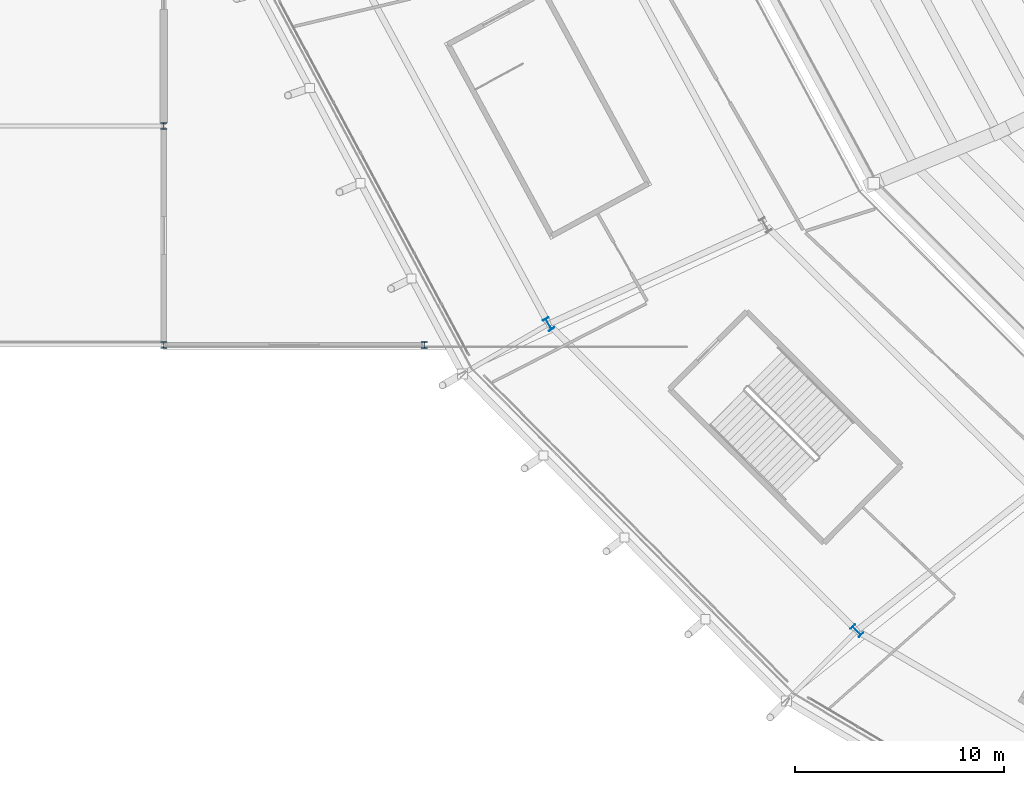
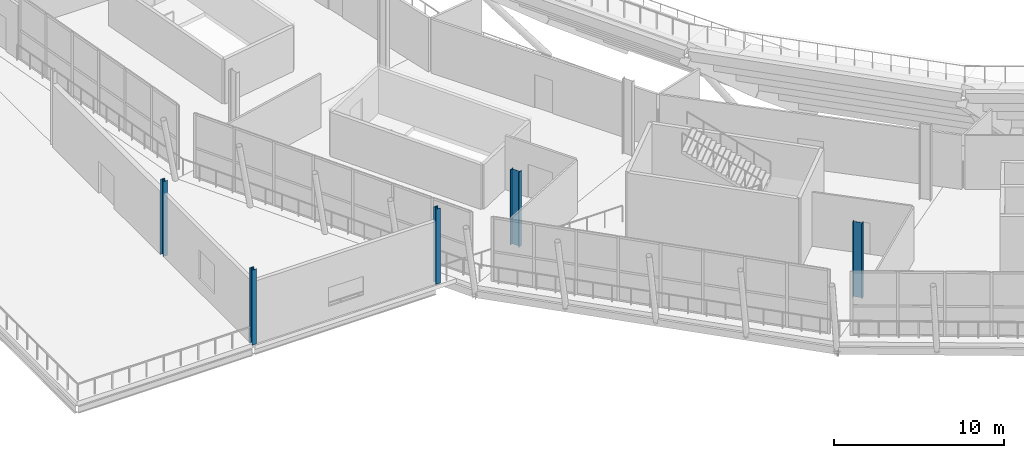
# One storey, part 1 of 126: 5 columns.
"""IFC4 building model written with IfcOpenShell, lengths in metres."""

from ifc_helpers import new_model, si_unit, direction, frame, origin, origin_2d, place, context, subcontext, project, spatial, i_section, extrude, material, material_profile, profile_set, type_object, element, save


model = new_model("IFC4")

# Units and contexts
model_context = context("Model", 3, precision=1e-05, world=origin(), true_north=direction((0.0, 1.0)))
body_context = subcontext(model_context, "Body", "Model", "MODEL_VIEW")
ifc_project = project(units=[si_unit("LENGTHUNIT", "METRE"), si_unit("AREAUNIT", "SQUARE_METRE"), si_unit("VOLUMEUNIT", "CUBIC_METRE"), si_unit("PLANEANGLEUNIT", "RADIAN"), si_unit("MASSUNIT", "GRAM", prefix="KILO")], contexts=[model_context])

# Site, building, storey
site_placement = place(None, origin())
site = spatial("IfcSite", under=ifc_project, at=site_placement, CompositionType="ELEMENT")
building_placement = place(site_placement, origin())
building = spatial("IfcBuilding", under=site, at=building_placement, Name="Zlatoyarsky Gate Stadium", CompositionType="ELEMENT")
storey_placement = place(building_placement, frame((0.0, 0.0, 20.800048828125)))
storey = spatial("IfcBuildingStorey", under=building, at=storey_placement, Name="L04", CompositionType="ELEMENT", Elevation=20.800048828125)

# Columns
ifc_material = material(Name="Steel S355", Category="steel")
ifc_material_profile_1 = material_profile(ifc_material, i_section(OverallWidth=0.300048828125, OverallDepth=0.300048828125, WebThickness=0.010986328125, FlangeThickness=0.01904296875, FilletRadius=0.027099609375, at=origin_2d()), Name="HEB 300")
ifc_profile_set_1 = profile_set([ifc_material_profile_1], Name="Steel S355")
column_type_1 = type_object("IfcColumnType", Name="STEEL COLUMN HEB 300", PredefinedType="COLUMN", material=ifc_profile_set_1)
for number, where, z_axis, x_axis, name in (
    (1, (12.0, 43.5, 0.0), (0.0, 0.0, 1.0), (1.0, 0.0, 0.0), "Column ST-C300 WG-2-E on L04"),
    (2, (12.0, 54.0, 0.0), (0.0, 0.0, 1.0), (1.0, 0.0, 0.0), "Column ST-C300 WG-2-F on L04"),
    (3, (24.5, 43.5, 0.0), (0.0, 0.0, 1.0), (1.0, 0.0, 0.0), "Column ST-C300 WG-3-E on L04"),
):
    element("IfcColumn", number, at=place(storey_placement, frame(where, z_axis=z_axis, x_axis=x_axis)), inside=storey, type_object=column_type_1, Name=name, PredefinedType="COLUMN", context=body_context, shape_type="SweptSolid", body=[
        extrude(i_section(OverallWidth=0.300048828125, OverallDepth=0.300048828125, WebThickness=0.010986328125, FlangeThickness=0.01904296875, FilletRadius=0.027099609375, at=origin_2d()), origin(), (0.0, 0.0, 1.0), 5.39990234375),
    ])
ifc_material_profile_2 = material_profile(ifc_material, i_section(OverallWidth=0.300048828125, OverallDepth=0.60009765625, WebThickness=0.015380859375, FlangeThickness=0.030029296875, FilletRadius=0.027099609375, at=origin_2d()), Name="HEB 600")
ifc_profile_set_2 = profile_set([ifc_material_profile_2], Name="Steel S355")
column_type_2 = type_object("IfcColumnType", Name="STEEL COLUMN HEB 600", PredefinedType="COLUMN", material=ifc_profile_set_2)
for number, where, z_axis, x_axis, name in (
    (4, (30.459716796875, 44.5, 0.0), (0.0, 0.0, 1.0), (-0.866025403784, -0.5, 0.0), "Column ST-C600 RC-14 on L04"),
    (5, (45.239013671875, 29.79541015625, 0.0), (0.0, 0.0, 1.0), (-0.707106781187, -0.707106781187, 0.0), "Column ST-C600 RC-15 on L04"),
):
    element("IfcColumn", number, at=place(storey_placement, frame(where, z_axis=z_axis, x_axis=x_axis)), inside=storey, type_object=column_type_2, Name=name, PredefinedType="COLUMN", context=body_context, shape_type="SweptSolid", body=[
        extrude(i_section(OverallWidth=0.300048828125, OverallDepth=0.60009765625, WebThickness=0.015380859375, FlangeThickness=0.030029296875, FilletRadius=0.027099609375, at=origin_2d()), origin(), (0.0, 0.0, 1.0), 5.39990234375),
    ])

save(model, "model.ifc")
